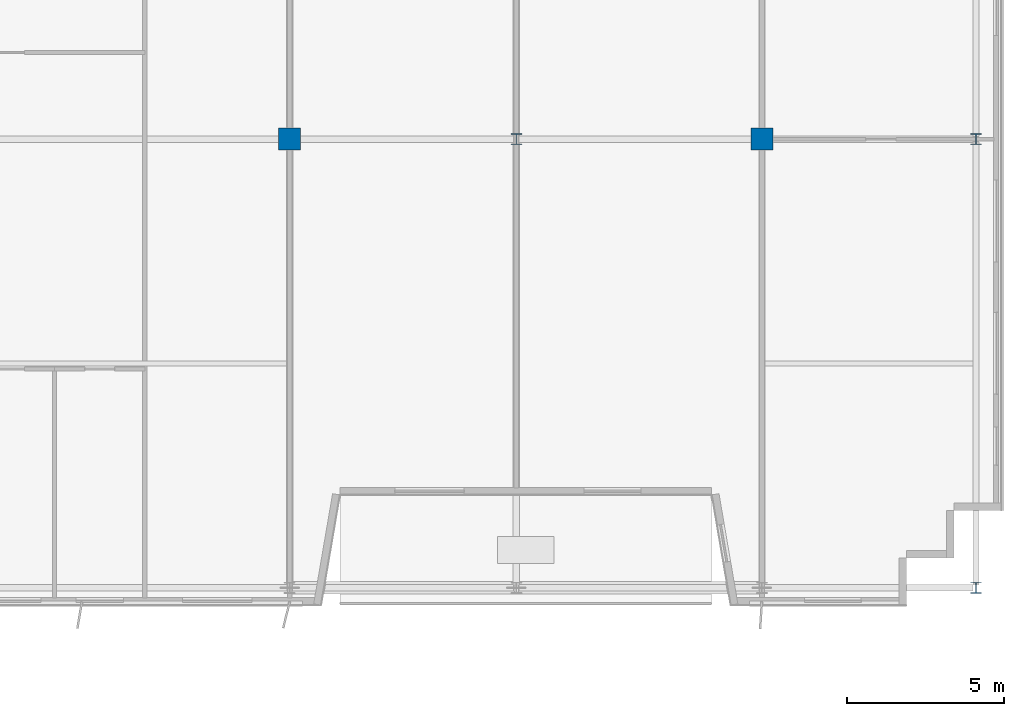
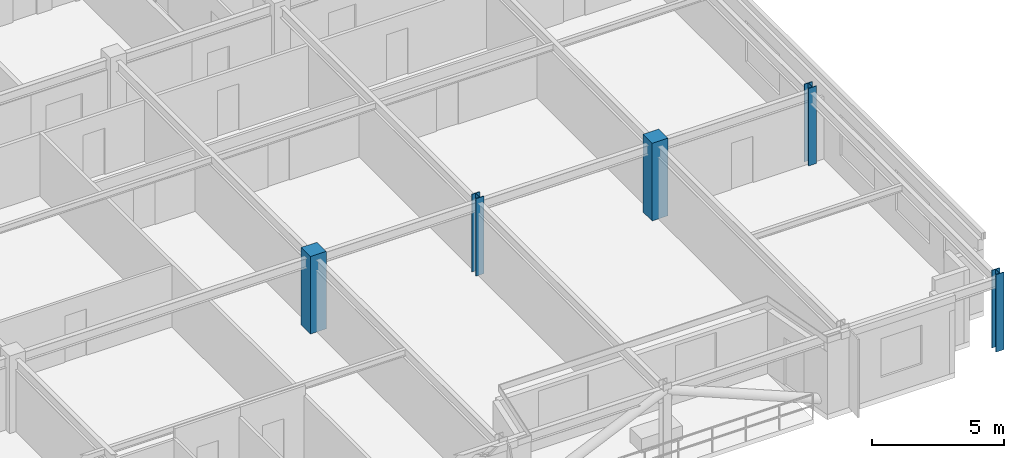
# One storey, part 2 of 23: 5 columns.
"""IFC4 building model written with IfcOpenShell, lengths in metres."""

from ifc_helpers import new_model, si_unit, direction, frame, origin, origin_2d, place, context, subcontext, project, spatial, rectangle, i_section, extrude, source, transform, mapped, material, material_profile, profile_set, type_object, element, save


model = new_model("IFC4")

# Units and contexts
model_context = context("Model", 3, precision=1e-05, world=origin(), true_north=direction((0.0, 1.0)))
body_context = subcontext(model_context, "Body", "Model", "MODEL_VIEW")
ifc_project = project(units=[si_unit("LENGTHUNIT", "METRE"), si_unit("AREAUNIT", "SQUARE_METRE"), si_unit("VOLUMEUNIT", "CUBIC_METRE"), si_unit("PLANEANGLEUNIT", "RADIAN"), si_unit("MASSUNIT", "GRAM", prefix="KILO")], contexts=[model_context])

# Site, building, storey
site_placement = place(None, origin())
site = spatial("IfcSite", under=ifc_project, at=site_placement, CompositionType="ELEMENT")
building_placement = place(site_placement, origin())
building = spatial("IfcBuilding", under=site, at=building_placement, Name="Trelvane Seafront Commons", CompositionType="ELEMENT")
storey_placement = place(building_placement, frame((0.0, 0.0, 230.10009765625)))
storey = spatial("IfcBuildingStorey", under=building, at=storey_placement, Name="L60", CompositionType="ELEMENT", Elevation=230.10009765625)

# Columns
ifc_material_1 = material(Name="Concrete C50/60", Category="concrete")
ifc_material_profile_1 = material_profile(ifc_material_1, rectangle(XDim=0.699951171875, YDim=0.699951171875, at=origin_2d()), Name="RC-700x700")
ifc_profile_set_1 = profile_set([ifc_material_profile_1], Name="Concrete C50/60")
column_type_1 = type_object("IfcColumnType", Name="STR-COL-RC700", PredefinedType="COLUMN", material=ifc_profile_set_1)
shared_shape_1 = source(origin(), body_context, "Body", "SweptSolid", [
    extrude(rectangle(XDim=0.699951171875, YDim=0.699951171875, at=origin_2d()), origin(), (0.0, 0.0, 1.0), 3.599853515625),
])
for number, where, z_axis, x_axis, name in (
    (1, (43.800048828125, 18.199951171875, 0.0), (0.0, 0.0, 1.0), (1.0, 0.0, 0.0), "L60 Column TC-M43.8"),
    (2, (58.800048828125, 18.199951171875, 0.0), (0.0, 0.0, 1.0), (1.0, 0.0, 0.0), "L60 Column TC-M58.8"),
):
    element("IfcColumn", number, at=place(storey_placement, frame(where, z_axis=z_axis, x_axis=x_axis)), inside=storey, type_object=column_type_1, Name=name, PredefinedType="COLUMN", context=body_context, shape_type="MappedRepresentation", body=[
        mapped(shared_shape_1, transform((0.0, 0.0, 0.0), x_axis=(1.0, 0.0, 0.0), y_axis=(0.0, 1.0, 0.0), z_axis=(0.0, 0.0, 1.0), scale=1.0)),
    ])
ifc_material_2 = material(Name="Steel SM355 (S355)", Category="steel")
ifc_material_profile_2 = material_profile(ifc_material_2, i_section(OverallWidth=0.35009765625, OverallDepth=0.35009765625, WebThickness=0.01806640625, FlangeThickness=0.028076171875, at=origin_2d()), Name="HD-350x350x18x28")
ifc_profile_set_2 = profile_set([ifc_material_profile_2], Name="Steel SM355 (S355)")
column_type_2 = type_object("IfcColumnType", Name="STR-COL-HD350", PredefinedType="COLUMN", material=ifc_profile_set_2)
shared_shape_2 = source(origin(), body_context, "Body", "SweptSolid", [
    extrude(i_section(OverallWidth=0.35009765625, OverallDepth=0.35009765625, WebThickness=0.01806640625, FlangeThickness=0.028076171875, at=origin_2d()), origin(), (0.0, 0.0, 1.0), 3.599853515625),
])
for number, where, z_axis, x_axis, name in (
    (3, (51.0, 18.199951171875, 0.0), (0.0, 0.0, 1.0), (1.0, 0.0, 0.0), "L60 Column TC-M51.0"),
    (4, (65.60009765625, 3.949951171875, 0.0), (0.0, 0.0, 1.0), (1.0, 0.0, 0.0), "L60 Column TC-S65.6"),
    (5, (65.60009765625, 18.199951171875, 0.0), (0.0, 0.0, 1.0), (1.0, 0.0, 0.0), "L60 Column TC-M65.6"),
):
    element("IfcColumn", number, at=place(storey_placement, frame(where, z_axis=z_axis, x_axis=x_axis)), inside=storey, type_object=column_type_2, Name=name, PredefinedType="COLUMN", context=body_context, shape_type="MappedRepresentation", body=[
        mapped(shared_shape_2, transform((0.0, 0.0, 0.0), x_axis=(1.0, 0.0, 0.0), y_axis=(0.0, 1.0, 0.0), z_axis=(0.0, 0.0, 1.0), scale=1.0)),
    ])

save(model, "model.ifc")
